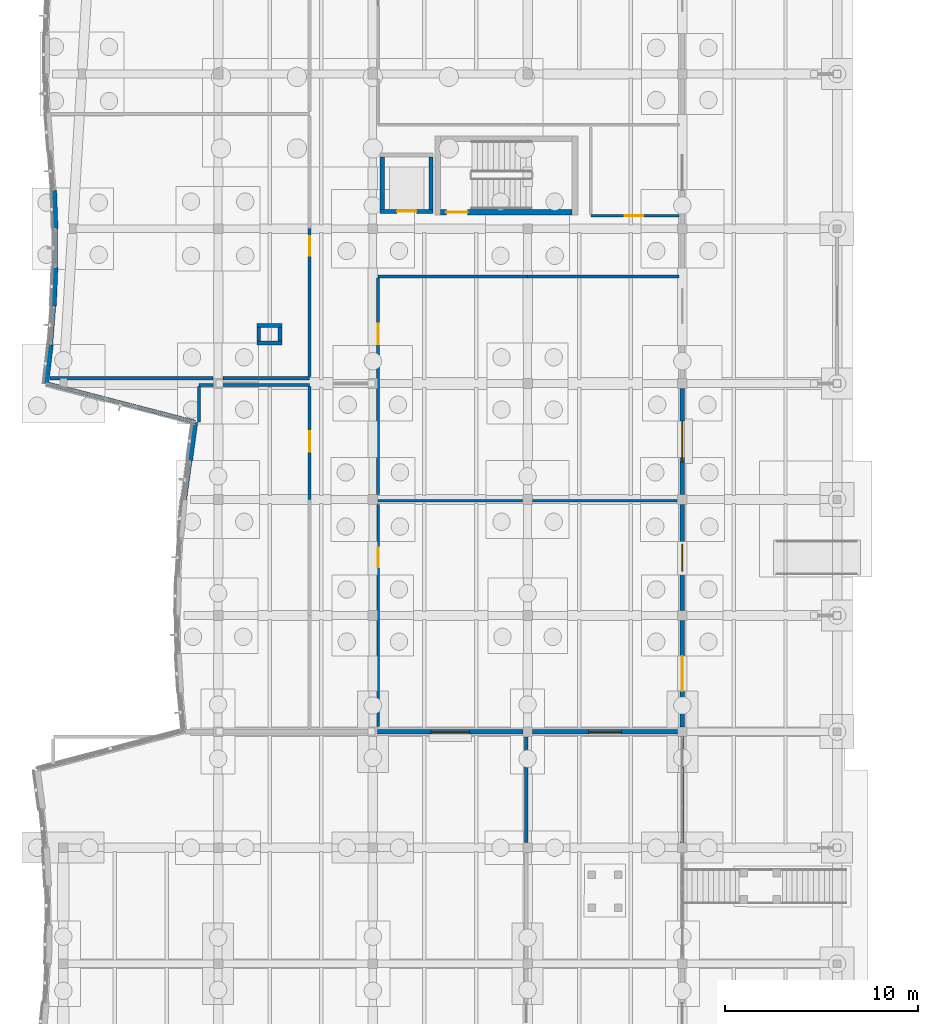
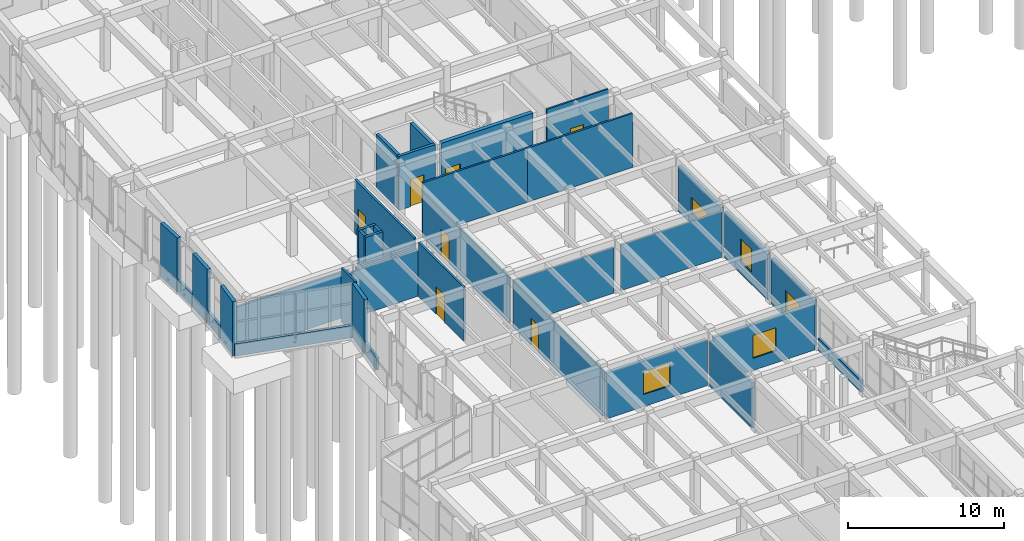
# One storey, part 62 of 99: 36 walls, 8 doors, 4 windows, 12 openings.
"""IFC4 building model written with IfcOpenShell, lengths in metres."""

from ifc_helpers import new_model, si_unit, direction, frame, frame_2d, origin, place, context, subcontext, project, spatial, rectangle, extrude, material, layer, layer_set, type_object, element, fill, save


model = new_model("IFC4")

# Units and contexts
model_context = context("Model", 3, precision=1e-05, world=origin(), true_north=direction((0.0, 1.0)))
body_context = subcontext(model_context, "Body", "Model", "MODEL_VIEW")
ifc_project = project(units=[si_unit("LENGTHUNIT", "METRE"), si_unit("AREAUNIT", "SQUARE_METRE"), si_unit("VOLUMEUNIT", "CUBIC_METRE"), si_unit("PLANEANGLEUNIT", "RADIAN"), si_unit("MASSUNIT", "GRAM", prefix="KILO")], contexts=[model_context])

# Site, building, storey
site_placement = place(None, origin())
site = spatial("IfcSite", under=ifc_project, at=site_placement, CompositionType="ELEMENT")
building_placement = place(site_placement, origin())
building = spatial("IfcBuilding", under=site, at=building_placement, Name="Tonlespit Floodbar School", CompositionType="ELEMENT")
storey_placement = place(building_placement, origin())
storey = spatial("IfcBuildingStorey", under=building, at=storey_placement, Name="L00", CompositionType="ELEMENT", Elevation=0.0)

# Wall, opening, door
ifc_material_1 = material(Name="Concrete C40/50", Category="concrete")
ifc_layer_1 = layer(ifc_material_1, 0.300048828125)
ifc_layer_set_1 = layer_set([ifc_layer_1], Name="Concrete C40/50")
wall_type_1 = type_object("IfcWallType", Name="CoreWall_RC_300", PredefinedType="SHEAR", material=ifc_layer_set_1)
wall_1_placement = place(storey_placement, frame((23.5, 64.85009765625, 0.0), z_axis=(0.0, 0.0, 1.0), x_axis=(1.0, 0.0, 0.0)))
wall_1 = element("IfcWall", 1, at=wall_1_placement, inside=storey, type_object=wall_type_1, Name="L00 core C3 shear wall LEFT", PredefinedType="SHEAR", context=body_context, shape_type="SweptSolid", body=[
    extrude(rectangle(XDim=6.800048828125, YDim=0.300048828125, at=frame_2d((3.39990234375, 0.0))), origin(), (0.0, 0.0, 1.0), 4.239990234375),
])
opening_1_placement = place(wall_1_placement, frame((0.300048828125, 0.0, 0.0)))
opening_1 = element("IfcOpeningElement", 2, at=opening_1_placement, cuts=wall_1, Name="Opening FD1-C3-L00", PredefinedType="OPENING", context=body_context, shape_type="SweptSolid", body=[
    extrude(rectangle(XDim=1.10009765625, YDim=2.14990234375, at=frame_2d((0.550048828125, 1.074951171875))), frame((0.0, 0.159912109375, 0.0), z_axis=(0.0, -1.0, 0.0), x_axis=(1.0, 0.0, 0.0)), (0.0, 0.0, 1.0), 0.320068359375),
])
ifc_material_2 = material(Name="Galvanised Steel", Category="steel")
door_type_1 = type_object("IfcDoorType", Name="FireDoor_Stair_1100x2150", OperationType="NOTDEFINED", PredefinedType="DOOR", material=ifc_material_2)
door_1_placement = place(opening_1_placement, origin())
door_1 = element("IfcDoor", 3, at=door_1_placement, inside=storey, type_object=door_type_1, Name="L00 stair ST-C3 fire door", OperationType="SINGLE_SWING_LEFT", OverallHeight=2.14990234375, OverallWidth=1.10009765625, PredefinedType="DOOR", context=body_context, shape_type="SweptSolid", body=[
    extrude(rectangle(XDim=1.10009765625, YDim=2.14990234375, at=frame_2d((0.550048828125, 1.074951171875))), frame((0.0, 0.02490234375, 0.0), z_axis=(0.0, -1.0, 0.0), x_axis=(1.0, 0.0, 0.0)), (0.0, 0.0, 1.0), 0.050048828125),
])
fill(opening_1, door_1)

# Wall, opening, window
ifc_material_3 = material(Name="Precast concrete C40/50", Category="concrete")
ifc_layer_2 = layer(ifc_material_3, 0.239990234375)
ifc_layer_set_2 = layer_set([ifc_layer_2], Name="Precast concrete C40/50")
wall_type_2 = type_object("IfcWallType", Name="ExtWall_Rainscreen_240", PredefinedType="SOLIDWALL", material=ifc_layer_set_2)
wall_2_placement = place(storey_placement, frame((36.0, 55.75, 0.0), z_axis=(0.0, 0.0, 1.0), x_axis=(0.0, -1.0, 0.0)))
wall_2 = element("IfcWall", 4, at=wall_2_placement, inside=storey, type_object=wall_type_2, Name="L00 external wall 0328", PredefinedType="SOLIDWALL", context=body_context, shape_type="SweptSolid", body=[
    extrude(rectangle(XDim=5.5, YDim=0.239990234375, at=frame_2d((2.75, 0.0))), origin(), (0.0, 0.0, 1.0), 3.590087890625),
])
opening_2_placement = place(wall_2_placement, frame((1.699951171875, 0.0, 0.949951171875)))
opening_2 = element("IfcOpeningElement", 5, at=opening_2_placement, cuts=wall_2, Name="Opening W-L00-024", PredefinedType="OPENING", context=body_context, shape_type="SweptSolid", body=[
    extrude(rectangle(XDim=2.10009765625, YDim=1.199951171875, at=frame_2d((1.050048828125, 0.60009765625))), frame((0.0, 0.1298828125, 0.0), z_axis=(0.0, -1.0, 0.0), x_axis=(1.0, 0.0, 0.0)), (0.0, 0.0, 1.0), 0.260009765625),
])
ifc_material_4 = material(Name="Tempered Double Glazing", Category="glass")
window_type_1 = type_object("IfcWindowType", Name="Win_Mod_2100x1200", PartitioningType="DOUBLE_PANEL_VERTICAL", PredefinedType="WINDOW", material=ifc_material_4)
window_1_placement = place(opening_2_placement, origin())
window_1 = element("IfcWindow", 6, at=window_1_placement, inside=storey, type_object=window_type_1, Name="L00 window W-L00-024", OverallHeight=1.199951171875, OverallWidth=2.10009765625, PartitioningType="DOUBLE_PANEL_VERTICAL", PredefinedType="WINDOW", context=body_context, shape_type="SweptSolid", body=[
    extrude(rectangle(XDim=2.10009765625, YDim=1.199951171875, at=frame_2d((1.050048828125, 0.60009765625))), frame((0.0, 0.030029296875, 0.0), z_axis=(0.0, -1.0, 0.0), x_axis=(1.0, 0.0, 0.0)), (0.0, 0.0, 1.0), 0.06005859375),
])
fill(opening_2, window_1)

wall_3_placement = place(storey_placement, frame((36.0, 49.75, 0.0), z_axis=(0.0, 0.0, 1.0), x_axis=(0.0, -1.0, 0.0)))
wall_3 = element("IfcWall", 7, at=wall_3_placement, inside=storey, type_object=wall_type_2, Name="L00 external wall 0329", PredefinedType="SOLIDWALL", context=body_context, shape_type="SweptSolid", body=[
    extrude(rectangle(XDim=5.5, YDim=0.239990234375, at=frame_2d((2.75, 0.0))), origin(), (0.0, 0.0, 1.0), 3.590087890625),
])
opening_3_placement = place(wall_3_placement, frame((2.050048828125, 0.0, 0.949951171875)))
opening_3 = element("IfcOpeningElement", 8, at=opening_3_placement, cuts=wall_3, Name="Opening W-L00-025", PredefinedType="OPENING", context=body_context, shape_type="SweptSolid", body=[
    extrude(rectangle(XDim=1.39990234375, YDim=1.800048828125, at=frame_2d((0.699951171875, 0.89990234375))), frame((0.0, 0.1298828125, 0.0), z_axis=(0.0, -1.0, 0.0), x_axis=(1.0, 0.0, 0.0)), (0.0, 0.0, 1.0), 0.260009765625),
])
window_type_2 = type_object("IfcWindowType", Name="Win_Mod_1400x1800", PartitioningType="SINGLE_PANEL", PredefinedType="WINDOW", material=ifc_material_4)
window_2_placement = place(opening_3_placement, origin())
window_2 = element("IfcWindow", 9, at=window_2_placement, inside=storey, type_object=window_type_2, Name="L00 window W-L00-025", OverallHeight=1.800048828125, OverallWidth=1.39990234375, PartitioningType="SINGLE_PANEL", PredefinedType="WINDOW", context=body_context, shape_type="SweptSolid", body=[
    extrude(rectangle(XDim=1.39990234375, YDim=1.800048828125, at=frame_2d((0.699951171875, 0.89990234375))), frame((0.0, 0.030029296875, 0.0), z_axis=(0.0, -1.0, 0.0), x_axis=(1.0, 0.0, 0.0)), (0.0, 0.0, 1.0), 0.06005859375),
])
fill(opening_3, window_2)

# Wall, opening, door
wall_4_placement = place(storey_placement, frame((36.0, 43.75, 0.0), z_axis=(0.0, 0.0, 1.0), x_axis=(0.0, -1.0, 0.0)))
wall_4 = element("IfcWall", 10, at=wall_4_placement, inside=storey, type_object=wall_type_2, Name="L00 external wall 0330", PredefinedType="SOLIDWALL", context=body_context, shape_type="SweptSolid", body=[
    extrude(rectangle(XDim=5.5, YDim=0.239990234375, at=frame_2d((2.75, 0.0))), origin(), (0.0, 0.0, 1.0), 3.590087890625),
])
opening_4_placement = place(wall_4_placement, frame((1.85009765625, 0.0, 0.0)))
opening_4 = element("IfcOpeningElement", 11, at=opening_4_placement, cuts=wall_4, Name="Opening D-EX-015", PredefinedType="OPENING", context=body_context, shape_type="SweptSolid", body=[
    extrude(rectangle(XDim=1.800048828125, YDim=2.199951171875, at=frame_2d((0.89990234375, 1.10009765625))), frame((0.0, 0.1298828125, 0.0), z_axis=(0.0, -1.0, 0.0), x_axis=(1.0, 0.0, 0.0)), (0.0, 0.0, 1.0), 0.260009765625),
])
ifc_material_5 = material(Name="Anodised Aluminium", Category="aluminium")
door_type_2 = type_object("IfcDoorType", Name="ExtDoor_Exit_1800x2200", OperationType="NOTDEFINED", PredefinedType="DOOR", material=ifc_material_5)
door_2_placement = place(opening_4_placement, origin())
door_2 = element("IfcDoor", 12, at=door_2_placement, inside=storey, type_object=door_type_2, Name="Final exit door D-EX-015", OperationType="SINGLE_SWING_LEFT", OverallHeight=2.199951171875, OverallWidth=1.800048828125, PredefinedType="DOOR", context=body_context, shape_type="SweptSolid", body=[
    extrude(rectangle(XDim=1.800048828125, YDim=2.199951171875, at=frame_2d((0.89990234375, 1.10009765625))), frame((0.0, 0.02490234375, 0.0), z_axis=(0.0, -1.0, 0.0), x_axis=(1.0, 0.0, 0.0)), (0.0, 0.0, 1.0), 0.050048828125),
])
fill(opening_4, door_2)

# Wall, opening, window
wall_5_placement = place(storey_placement, frame((35.75, 38.0, 0.0), z_axis=(0.0, 0.0, 1.0), x_axis=(-1.0, 0.0, 0.0)))
wall_5 = element("IfcWall", 13, at=wall_5_placement, inside=storey, type_object=wall_type_2, Name="L00 external wall 0331", PredefinedType="SOLIDWALL", context=body_context, shape_type="SweptSolid", body=[
    extrude(rectangle(XDim=7.5, YDim=0.239990234375, at=frame_2d((3.75, 0.0))), origin(), (0.0, 0.0, 1.0), 3.590087890625),
])
opening_5_placement = place(wall_5_placement, frame((2.89990234375, 0.0, 0.949951171875)))
opening_5 = element("IfcOpeningElement", 14, at=opening_5_placement, cuts=wall_5, Name="Opening W-L00-026", PredefinedType="OPENING", context=body_context, shape_type="SweptSolid", body=[
    extrude(rectangle(XDim=1.699951171875, YDim=1.800048828125, at=frame_2d((0.85009765625, 0.89990234375))), frame((0.0, 0.1298828125, 0.0), z_axis=(0.0, -1.0, 0.0), x_axis=(1.0, 0.0, 0.0)), (0.0, 0.0, 1.0), 0.260009765625),
])
window_type_3 = type_object("IfcWindowType", Name="Win_Mod_1700x1800", PartitioningType="DOUBLE_PANEL_VERTICAL", PredefinedType="WINDOW", material=ifc_material_4)
window_3_placement = place(opening_5_placement, origin())
window_3 = element("IfcWindow", 15, at=window_3_placement, inside=storey, type_object=window_type_3, Name="L00 window W-L00-026", OverallHeight=1.800048828125, OverallWidth=1.699951171875, PartitioningType="DOUBLE_PANEL_VERTICAL", PredefinedType="WINDOW", context=body_context, shape_type="SweptSolid", body=[
    extrude(rectangle(XDim=1.699951171875, YDim=1.800048828125, at=frame_2d((0.85009765625, 0.89990234375))), frame((0.0, 0.030029296875, 0.0), z_axis=(0.0, -1.0, 0.0), x_axis=(1.0, 0.0, 0.0)), (0.0, 0.0, 1.0), 0.06005859375),
])
fill(opening_5, window_3)

wall_6_placement = place(storey_placement, frame((27.75, 38.0, 0.0), z_axis=(0.0, 0.0, 1.0), x_axis=(-1.0, 0.0, 0.0)))
wall_6 = element("IfcWall", 16, at=wall_6_placement, inside=storey, type_object=wall_type_2, Name="L00 external wall 0332", PredefinedType="SOLIDWALL", context=body_context, shape_type="SweptSolid", body=[
    extrude(rectangle(XDim=7.5, YDim=0.239990234375, at=frame_2d((3.75, 0.0))), origin(), (0.0, 0.0, 1.0), 3.590087890625),
])
opening_6_placement = place(wall_6_placement, frame((2.75, 0.0, 0.949951171875)))
opening_6 = element("IfcOpeningElement", 17, at=opening_6_placement, cuts=wall_6, Name="Opening W-L00-027", PredefinedType="OPENING", context=body_context, shape_type="SweptSolid", body=[
    extrude(rectangle(XDim=2.0, YDim=1.800048828125, at=frame_2d((1.0, 0.89990234375))), frame((0.0, 0.1298828125, 0.0), z_axis=(0.0, -1.0, 0.0), x_axis=(1.0, 0.0, 0.0)), (0.0, 0.0, 1.0), 0.260009765625),
])
window_type_4 = type_object("IfcWindowType", Name="Win_Mod_2000x1800", PartitioningType="DOUBLE_PANEL_VERTICAL", PredefinedType="WINDOW", material=ifc_material_4)
window_4_placement = place(opening_6_placement, origin())
window_4 = element("IfcWindow", 18, at=window_4_placement, inside=storey, type_object=window_type_4, Name="L00 window W-L00-027", OverallHeight=1.800048828125, OverallWidth=2.0, PartitioningType="DOUBLE_PANEL_VERTICAL", PredefinedType="WINDOW", context=body_context, shape_type="SweptSolid", body=[
    extrude(rectangle(XDim=2.0, YDim=1.800048828125, at=frame_2d((1.0, 0.89990234375))), frame((0.0, 0.030029296875, 0.0), z_axis=(0.0, -1.0, 0.0), x_axis=(1.0, 0.0, 0.0)), (0.0, 0.0, 1.0), 0.06005859375),
])
fill(opening_6, window_4)

# Walls
ifc_layer_3 = layer(ifc_material_3, 0.260009765625)
ifc_layer_set_3 = layer_set([ifc_layer_3], Name="Precast concrete C40/50")
wall_type_3 = type_object("IfcWallType", Name="ExtWall_Rainscreen_260", PredefinedType="SOLIDWALL", material=ifc_layer_set_3)
wall_7_placement = place(storey_placement, frame((10.550048828125, 52.0, 0.0), z_axis=(0.0, 0.0, 1.0), x_axis=(0.134627389588, 0.990896294257, 0.0)))
element("IfcWall", 19, at=wall_7_placement, inside=storey, type_object=wall_type_3, Name="L00 external wall 0297", PredefinedType="SOLIDWALL", context=body_context, shape_type="SweptSolid", body=[
    extrude(rectangle(XDim=2.018310546875, YDim=0.260009765625, at=frame_2d((1.00927734375, 0.0))), origin(), (0.0, 0.0, 1.0), 4.239990234375),
])
wall_8_placement = place(storey_placement, frame((3.114990234375, 56.0, 0.0), z_axis=(0.0, 0.0, 1.0), x_axis=(0.116988959085, 0.99313321536, 0.0)))
element("IfcWall", 20, at=wall_8_placement, inside=storey, type_object=wall_type_3, Name="L00 external wall 0299", PredefinedType="SOLIDWALL", context=body_context, shape_type="SweptSolid", body=[
    extrude(rectangle(XDim=2.013916015625, YDim=0.260009765625, at=frame_2d((1.0068359375, 0.0))), origin(), (0.0, 0.0, 1.0), 4.239990234375),
])
wall_9_placement = place(storey_placement, frame((3.509033203125, 60.0, 0.0), z_axis=(0.0, 0.0, 1.0), x_axis=(0.040737639062, 0.99916987783, 0.0)))
element("IfcWall", 21, at=wall_9_placement, inside=storey, type_object=wall_type_3, Name="L00 external wall 0301", PredefinedType="SOLIDWALL", context=body_context, shape_type="SweptSolid", body=[
    extrude(rectangle(XDim=2.001708984375, YDim=0.260009765625, at=frame_2d((1.0009765625, 0.0))), origin(), (0.0, 0.0, 1.0), 4.239990234375),
])
wall_10_placement = place(storey_placement, frame((3.594970703125, 64.0, 0.0), z_axis=(0.0, 0.0, 1.0), x_axis=(-0.036596562065, 0.999330121454, 0.0)))
element("IfcWall", 22, at=wall_10_placement, inside=storey, type_object=wall_type_3, Name="L00 external wall 0303", PredefinedType="SOLIDWALL", context=body_context, shape_type="SweptSolid", body=[
    extrude(rectangle(XDim=2.001220703125, YDim=0.260009765625, at=frame_2d((1.00048828125, 0.0))), origin(), (0.0, 0.0, 1.0), 4.239990234375),
])
ifc_material_6 = material(Name="White Architectural Precast concrete C40/50", Category="concrete")
ifc_layer_4 = layer(ifc_material_6, 0.18505859375)
ifc_layer_set_4 = layer_set([ifc_layer_4], Name="White Architectural Precast concrete C40/50")
wall_type_4 = type_object("IfcWallType", Name="ExtWall_Spandrel_White_185", PredefinedType="SOLIDWALL", material=ifc_layer_set_4)
wall_11_placement = place(storey_placement, frame((36.0, 37.75, 0.0), z_axis=(0.0, 0.0, 1.0), x_axis=(0.0, -1.0, 0.0)))
element("IfcWall", 23, at=wall_11_placement, inside=storey, type_object=wall_type_4, Name="L00 spandrel wall 0707", PredefinedType="SOLIDWALL", context=body_context, shape_type="SweptSolid", body=[
    extrude(rectangle(XDim=5.5, YDim=0.18505859375, at=frame_2d((2.75, 0.0))), origin(), (0.0, 0.0, 1.0), 0.949951171875),
])
ifc_layer_5 = layer(ifc_material_6, 0.199951171875)
ifc_layer_set_5 = layer_set([ifc_layer_5], Name="White Architectural Precast concrete C40/50")
wall_type_5 = type_object("IfcWallType", Name="ExtWall_Spandrel_White_200", PredefinedType="SOLIDWALL", material=ifc_layer_set_5)
wall_12_placement = place(storey_placement, frame((10.2783203125, 50.0, 0.0), z_axis=(0.0, 0.0, 1.0), x_axis=(0.134627389588, 0.990896294257, 0.0)))
element("IfcWall", 24, at=wall_12_placement, inside=storey, type_object=wall_type_5, Name="L00 spandrel wall 0296", PredefinedType="SOLIDWALL", context=body_context, shape_type="SweptSolid", body=[
    extrude(rectangle(XDim=2.018310546875, YDim=0.199951171875, at=frame_2d((1.00927734375, 0.0))), origin(), (0.0, 0.0, 1.0), 0.949951171875),
])
wall_13_placement = place(storey_placement, frame((10.82177734375, 54.0, 0.0), z_axis=(0.0, 0.0, 1.0), x_axis=(-0.967937555254, 0.251190941573, 0.0)))
element("IfcWall", 25, at=wall_13_placement, inside=storey, type_object=wall_type_5, Name="L00 spandrel wall 0298", PredefinedType="SOLIDWALL", context=body_context, shape_type="SweptSolid", body=[
    extrude(rectangle(XDim=7.962158203125, YDim=0.199951171875, at=frame_2d((3.98095703125, 0.0))), origin(), (0.0, 0.0, 1.0), 0.949951171875),
])
wall_14_placement = place(storey_placement, frame((3.3505859375, 58.0, 0.0), z_axis=(0.0, 0.0, 1.0), x_axis=(0.078976178075, 0.996876503533, 0.0)))
element("IfcWall", 26, at=wall_14_placement, inside=storey, type_object=wall_type_5, Name="L00 spandrel wall 0300", PredefinedType="SOLIDWALL", context=body_context, shape_type="SweptSolid", body=[
    extrude(rectangle(XDim=2.00634765625, YDim=0.199951171875, at=frame_2d((1.003173828125, 0.0))), origin(), (0.0, 0.0, 1.0), 0.949951171875),
])
wall_15_placement = place(storey_placement, frame((3.590576171875, 62.0, 0.0), z_axis=(0.0, 0.0, 1.0), x_axis=(0.002197260321, 0.999997586021, 0.0)))
element("IfcWall", 27, at=wall_15_placement, inside=storey, type_object=wall_type_5, Name="L00 spandrel wall 0302", PredefinedType="SOLIDWALL", context=body_context, shape_type="SweptSolid", body=[
    extrude(rectangle(XDim=2.0, YDim=0.199951171875, at=frame_2d((1.0, 0.0))), origin(), (0.0, 0.0, 1.0), 0.949951171875),
])
ifc_material_7 = material(Name="Gypsum Plasterboard Partition")
ifc_layer_6 = layer(ifc_material_7, 0.159912109375)
ifc_layer_set_6 = layer_set([ifc_layer_6], Name="Gypsum Plasterboard Partition")
wall_type_6 = type_object("IfcWallType", Name="FireWall_Lab_160", PredefinedType="PARTITIONING", material=ifc_layer_set_6)
wall_16_placement = place(storey_placement, frame((3.31884765625, 56.27001953125, 0.0), z_axis=(0.0, 0.0, 1.0), x_axis=(1.0, 0.0, 0.0)))
element("IfcWall", 28, at=wall_16_placement, inside=storey, type_object=wall_type_6, Name="L00 partition wall 0149", PredefinedType="PARTITIONING", context=body_context, shape_type="SweptSolid", body=[
    extrude(rectangle(XDim=8.416259765625, YDim=0.159912109375, at=frame_2d((4.2080078125, 0.0))), origin(), (0.0, 0.0, 1.0), 3.590087890625),
])
wall_17_placement = place(storey_placement, frame((12.264892578125, 56.27001953125, 0.0), z_axis=(0.0, 0.0, 1.0), x_axis=(1.0, 0.0, 0.0)))
element("IfcWall", 29, at=wall_17_placement, inside=storey, type_object=wall_type_6, Name="L00 partition wall 0150", PredefinedType="PARTITIONING", context=body_context, shape_type="SweptSolid", body=[
    extrude(rectangle(XDim=4.465087890625, YDim=0.159912109375, at=frame_2d((2.232421875, 0.0))), origin(), (0.0, 0.0, 1.0), 3.590087890625),
])

# Wall, opening, door
wall_18_placement = place(storey_placement, frame((16.72998046875, 56.364990234375, 0.0), z_axis=(0.0, 0.0, 1.0), x_axis=(0.0, 1.0, 0.0)))
wall_18 = element("IfcWall", 30, at=wall_18_placement, inside=storey, type_object=wall_type_6, Name="L00 partition wall 0153", PredefinedType="PARTITIONING", context=body_context, shape_type="SweptSolid", body=[
    extrude(rectangle(XDim=7.635009765625, YDim=0.159912109375, at=frame_2d((3.8173828125, 0.0))), origin(), (0.0, 0.0, 1.0), 4.239990234375),
])
opening_7_placement = place(wall_18_placement, frame((6.235107421875, 0.0, 0.0)))
opening_7 = element("IfcOpeningElement", 31, at=opening_7_placement, cuts=wall_18, Name="Opening D-L00-047", PredefinedType="OPENING", context=body_context, shape_type="SweptSolid", body=[
    extrude(rectangle(XDim=1.0, YDim=2.14990234375, at=frame_2d((0.5, 1.074951171875))), frame((0.0, 0.08984375, 0.0), z_axis=(0.0, -1.0, 0.0), x_axis=(1.0, 0.0, 0.0)), (0.0, 0.0, 1.0), 0.179931640625),
])
ifc_material_8 = material(Name="Hardwood Timber", Category="wood")
door_type_3 = type_object("IfcDoorType", Name="FireDoor_Compartment_1000x2150", OperationType="NOTDEFINED", PredefinedType="DOOR", material=ifc_material_8)
door_3_placement = place(opening_7_placement, origin())
door_3 = element("IfcDoor", 32, at=door_3_placement, inside=storey, type_object=door_type_3, Name="L00 interior door D-L00-047", OperationType="SINGLE_SWING_RIGHT", OverallHeight=2.14990234375, OverallWidth=1.0, PredefinedType="DOOR", context=body_context, shape_type="SweptSolid", body=[
    extrude(rectangle(XDim=1.0, YDim=2.14990234375, at=frame_2d((0.5, 1.074951171875))), frame((0.0, 0.02490234375, 0.0), z_axis=(0.0, -1.0, 0.0), x_axis=(1.0, 0.0, 0.0)), (0.0, 0.0, 1.0), 0.050048828125),
])
fill(opening_7, door_3)

# Walls
ifc_layer_7 = layer(ifc_material_1, 0.199951171875)
ifc_layer_set_7 = layer_set([ifc_layer_7], Name="Concrete C40/50")
wall_type_7 = type_object("IfcWallType", Name="FireWall_Plant_200", PredefinedType="PARTITIONING", material=ifc_layer_set_7)
for number, where, z_axis, x_axis, name in (
    (33, (15.300048828125, 58.10009765625, 0.0), (0.0, 0.0, 1.0), (-1.0, 0.0, 0.0), "L00 service riser 03 wall S"),
    (34, (14.0, 59.0, 0.0), (0.0, 0.0, 1.0), (1.0, 0.0, 0.0), "L00 service riser 03 wall N"),
):
    element("IfcWall", number, at=place(storey_placement, frame(where, z_axis=z_axis, x_axis=x_axis)), inside=storey, type_object=wall_type_7, Name=name, PredefinedType="PARTITIONING", context=body_context, shape_type="SweptSolid", body=[
        extrude(rectangle(XDim=1.300048828125, YDim=0.199951171875, at=frame_2d((0.64990234375, 0.0))), origin(), (0.0, 0.0, 1.0), 4.239990234375),
    ])
for number, where, z_axis, x_axis, name in (
    (35, (14.10009765625, 58.199951171875, 0.0), (0.0, 0.0, 1.0), (0.0, 1.0, 0.0), "L00 service riser 03 wall W"),
    (36, (15.199951171875, 58.89990234375, 0.0), (0.0, 0.0, 1.0), (0.0, -1.0, 0.0), "L00 service riser 03 wall E"),
):
    element("IfcWall", number, at=place(storey_placement, frame(where, z_axis=z_axis, x_axis=x_axis)), inside=storey, type_object=wall_type_7, Name=name, PredefinedType="PARTITIONING", context=body_context, shape_type="SweptSolid", body=[
        extrude(rectangle(XDim=0.699951171875, YDim=0.199951171875, at=frame_2d((0.35009765625, 0.0))), origin(), (0.0, 0.0, 1.0), 4.239990234375),
    ])

# Wall, opening, door
ifc_layer_8 = layer(ifc_material_7, 0.1201171875)
ifc_layer_set_8 = layer_set([ifc_layer_8], Name="Gypsum Plasterboard Partition")
wall_type_8 = type_object("IfcWallType", Name="Partition_Gyp_120", PredefinedType="PARTITIONING", material=ifc_layer_set_8)
wall_19_placement = place(storey_placement, frame((31.27001953125, 64.669921875, 0.0), z_axis=(0.0, 0.0, 1.0), x_axis=(1.0, 0.0, 0.0)))
wall_19 = element("IfcWall", 37, at=wall_19_placement, inside=storey, type_object=wall_type_8, Name="L00 partition wall 0171", PredefinedType="PARTITIONING", context=body_context, shape_type="SweptSolid", body=[
    extrude(rectangle(XDim=4.56787109375, YDim=0.1201171875, at=frame_2d((2.283935546875, 0.0))), origin(), (0.0, 0.0, 1.0), 4.239990234375),
])
opening_8_placement = place(wall_19_placement, frame((1.739990234375, 0.0, 0.0)))
opening_8 = element("IfcOpeningElement", 38, at=opening_8_placement, cuts=wall_19, Name="Opening D-L00-052", PredefinedType="OPENING", context=body_context, shape_type="SweptSolid", body=[
    extrude(rectangle(XDim=0.97998046875, YDim=2.10009765625, at=frame_2d((0.489990234375, 1.050048828125))), frame((0.0, 0.070068359375, 0.0), z_axis=(0.0, -1.0, 0.0), x_axis=(1.0, 0.0, 0.0)), (0.0, 0.0, 1.0), 0.14013671875),
])
door_type_4 = type_object("IfcDoorType", Name="IntDoor_980x2100", OperationType="NOTDEFINED", PredefinedType="DOOR", material=ifc_material_8)
door_4_placement = place(opening_8_placement, origin())
door_4 = element("IfcDoor", 39, at=door_4_placement, inside=storey, type_object=door_type_4, Name="L00 interior door D-L00-052", OperationType="SINGLE_SWING_LEFT", OverallHeight=2.10009765625, OverallWidth=0.97998046875, PredefinedType="DOOR", context=body_context, shape_type="SweptSolid", body=[
    extrude(rectangle(XDim=0.97998046875, YDim=2.10009765625, at=frame_2d((0.489990234375, 1.050048828125))), frame((0.0, 0.02490234375, 0.0), z_axis=(0.0, -1.0, 0.0), x_axis=(1.0, 0.0, 0.0)), (0.0, 0.0, 1.0), 0.050048828125),
])
fill(opening_8, door_4)

# Walls
ifc_layer_9 = layer(ifc_material_7, 0.1298828125)
ifc_layer_set_9 = layer_set([ifc_layer_9], Name="Gypsum Plasterboard Partition")
wall_type_9 = type_object("IfcWallType", Name="Partition_Gyp_130", PredefinedType="PARTITIONING", material=ifc_layer_set_9)
for number, where, z_axis, x_axis, name in (
    (40, (20.27001953125, 49.929931640625, 0.0), (0.0, 0.0, 1.0), (1.0, 0.0, 0.0), "L00 partition wall 0173"),
    (41, (28.264892578125, 49.929931640625, 0.0), (0.0, 0.0, 1.0), (1.0, 0.0, 0.0), "L00 partition wall 0174"),
):
    element("IfcWall", number, at=place(storey_placement, frame(where, z_axis=z_axis, x_axis=x_axis)), inside=storey, type_object=wall_type_9, Name=name, PredefinedType="PARTITIONING", context=body_context, shape_type="SweptSolid", body=[
        extrude(rectangle(XDim=7.465087890625, YDim=0.1298828125, at=frame_2d((3.732421875, 0.0))), origin(), (0.0, 0.0, 1.0), 3.590087890625),
    ])

# Wall, opening, door
wall_20_placement = place(storey_placement, frame((20.27001953125, 38.264892578125, 0.0), z_axis=(0.0, 0.0, 1.0), x_axis=(0.0, 1.0, 0.0)))
wall_20 = element("IfcWall", 42, at=wall_20_placement, inside=storey, type_object=wall_type_9, Name="L00 partition wall 0175", PredefinedType="PARTITIONING", context=body_context, shape_type="SweptSolid", body=[
    extrude(rectangle(XDim=11.47021484375, YDim=0.1298828125, at=frame_2d((5.735107421875, 0.0))), origin(), (0.0, 0.0, 1.0), 3.590087890625),
])
opening_9_placement = place(wall_20_placement, frame((8.22509765625, 0.0, 0.0)))
opening_9 = element("IfcOpeningElement", 43, at=opening_9_placement, cuts=wall_20, Name="Opening D-L00-053", PredefinedType="OPENING", context=body_context, shape_type="SweptSolid", body=[
    extrude(rectangle(XDim=1.02001953125, YDim=2.10009765625, at=frame_2d((0.510009765625, 1.050048828125))), frame((0.0, 0.074951171875, 0.0), z_axis=(0.0, -1.0, 0.0), x_axis=(1.0, 0.0, 0.0)), (0.0, 0.0, 1.0), 0.14990234375),
])
door_type_5 = type_object("IfcDoorType", Name="IntDoor_1020x2100", OperationType="NOTDEFINED", PredefinedType="DOOR", material=ifc_material_8)
door_5_placement = place(opening_9_placement, origin())
door_5 = element("IfcDoor", 44, at=door_5_placement, inside=storey, type_object=door_type_5, Name="L00 interior door D-L00-053", OperationType="SINGLE_SWING_RIGHT", OverallHeight=2.10009765625, OverallWidth=1.02001953125, PredefinedType="DOOR", context=body_context, shape_type="SweptSolid", body=[
    extrude(rectangle(XDim=1.02001953125, YDim=2.10009765625, at=frame_2d((0.510009765625, 1.050048828125))), frame((0.0, 0.02490234375, 0.0), z_axis=(0.0, -1.0, 0.0), x_axis=(1.0, 0.0, 0.0)), (0.0, 0.0, 1.0), 0.050048828125),
])
fill(opening_9, door_5)

# Walls
ifc_layer_10 = layer(ifc_material_7, 0.139892578125)
ifc_layer_set_10 = layer_set([ifc_layer_10], Name="Gypsum Plasterboard Partition")
wall_type_10 = type_object("IfcWallType", Name="Partition_Gyp_140", PredefinedType="PARTITIONING", material=ifc_layer_set_10)
wall_21_placement = place(storey_placement, frame((20.27001953125, 61.530029296875, 0.0), z_axis=(0.0, 0.0, 1.0), x_axis=(1.0, 0.0, 0.0)))
element("IfcWall", 45, at=wall_21_placement, inside=storey, type_object=wall_type_10, Name="L00 partition wall 0176", PredefinedType="PARTITIONING", context=body_context, shape_type="SweptSolid", body=[
    extrude(rectangle(XDim=7.72998046875, YDim=0.139892578125, at=frame_2d((3.864990234375, 0.0))), origin(), (0.0, 0.0, 1.0), 4.239990234375),
])
wall_22_placement = place(storey_placement, frame((28.0, 61.530029296875, 0.0), z_axis=(0.0, 0.0, 1.0), x_axis=(1.0, 0.0, 0.0)))
element("IfcWall", 46, at=wall_22_placement, inside=storey, type_object=wall_type_10, Name="L00 partition wall 0177", PredefinedType="PARTITIONING", context=body_context, shape_type="SweptSolid", body=[
    extrude(rectangle(XDim=7.837890625, YDim=0.139892578125, at=frame_2d((3.9189453125, 0.0))), origin(), (0.0, 0.0, 1.0), 4.239990234375),
])

# Wall, opening, door
wall_23_placement = place(storey_placement, frame((20.27001953125, 50.264892578125, 0.0), z_axis=(0.0, 0.0, 1.0), x_axis=(0.0, 1.0, 0.0)))
wall_23 = element("IfcWall", 47, at=wall_23_placement, inside=storey, type_object=wall_type_10, Name="L00 partition wall 0178", PredefinedType="PARTITIONING", context=body_context, shape_type="SweptSolid", body=[
    extrude(rectangle(XDim=11.18017578125, YDim=0.139892578125, at=frame_2d((5.590087890625, 0.0))), origin(), (0.0, 0.0, 1.0), 3.590087890625),
])
opening_10_placement = place(wall_23_placement, frame((7.760009765625, 0.0, 0.0)))
opening_10 = element("IfcOpeningElement", 48, at=opening_10_placement, cuts=wall_23, Name="Opening D-L00-054", PredefinedType="OPENING", context=body_context, shape_type="SweptSolid", body=[
    extrude(rectangle(XDim=1.050048828125, YDim=2.10009765625, at=frame_2d((0.52490234375, 1.050048828125))), frame((0.0, 0.079833984375, 0.0), z_axis=(0.0, -1.0, 0.0), x_axis=(1.0, 0.0, 0.0)), (0.0, 0.0, 1.0), 0.159912109375),
])
door_type_6 = type_object("IfcDoorType", Name="IntDoor_1050x2100", OperationType="NOTDEFINED", PredefinedType="DOOR", material=ifc_material_8)
door_6_placement = place(opening_10_placement, origin())
door_6 = element("IfcDoor", 49, at=door_6_placement, inside=storey, type_object=door_type_6, Name="L00 interior door D-L00-054", OperationType="SINGLE_SWING_LEFT", OverallHeight=2.10009765625, OverallWidth=1.050048828125, PredefinedType="DOOR", context=body_context, shape_type="SweptSolid", body=[
    extrude(rectangle(XDim=1.050048828125, YDim=2.10009765625, at=frame_2d((0.52490234375, 1.050048828125))), frame((0.0, 0.02490234375, 0.0), z_axis=(0.0, -1.0, 0.0), x_axis=(1.0, 0.0, 0.0)), (0.0, 0.0, 1.0), 0.050048828125),
])
fill(opening_10, door_6)

# Walls
ifc_layer_11 = layer(ifc_material_7, 0.14990234375)
ifc_layer_set_11 = layer_set([ifc_layer_11], Name="Gypsum Plasterboard Partition")
wall_type_11 = type_object("IfcWallType", Name="Partition_Gyp_150", PredefinedType="PARTITIONING", material=ifc_layer_set_11)
wall_24_placement = place(storey_placement, frame((11.0048828125, 55.929931640625, 0.0), z_axis=(0.0, 0.0, 1.0), x_axis=(1.0, 0.0, 0.0)))
element("IfcWall", 50, at=wall_24_placement, inside=storey, type_object=wall_type_11, Name="L00 partition wall 0179", PredefinedType="PARTITIONING", context=body_context, shape_type="SweptSolid", body=[
    extrude(rectangle(XDim=5.72509765625, YDim=0.14990234375, at=frame_2d((2.862548828125, 0.0))), origin(), (0.0, 0.0, 1.0), 3.590087890625),
])
wall_25_placement = place(storey_placement, frame((11.0048828125, 54.02001953125, 0.0), z_axis=(0.0, 0.0, 1.0), x_axis=(0.0, 1.0, 0.0)))
element("IfcWall", 51, at=wall_25_placement, inside=storey, type_object=wall_type_11, Name="L00 partition wall 0180", PredefinedType="PARTITIONING", context=body_context, shape_type="SweptSolid", body=[
    extrude(rectangle(XDim=1.820068359375, YDim=0.14990234375, at=frame_2d((0.91015625, 0.0))), origin(), (0.0, 0.0, 1.0), 4.239990234375),
])

# Wall, opening, door
wall_26_placement = place(storey_placement, frame((16.72998046875, 50.0, 0.0), z_axis=(0.0, 0.0, 1.0), x_axis=(0.0, 1.0, 0.0)))
wall_26 = element("IfcWall", 52, at=wall_26_placement, inside=storey, type_object=wall_type_11, Name="L00 partition wall 0183", PredefinedType="PARTITIONING", context=body_context, shape_type="SweptSolid", body=[
    extrude(rectangle(XDim=5.840087890625, YDim=0.14990234375, at=frame_2d((2.919921875, 0.0))), origin(), (0.0, 0.0, 1.0), 4.239990234375),
])
opening_11_placement = place(wall_26_placement, frame((2.4599609375, 0.0, 0.0)))
opening_11 = element("IfcOpeningElement", 53, at=opening_11_placement, cuts=wall_26, Name="Opening D-L00-055", PredefinedType="OPENING", context=body_context, shape_type="SweptSolid", body=[
    extrude(rectangle(XDim=1.080078125, YDim=2.14990234375, at=frame_2d((0.5400390625, 1.074951171875))), frame((0.0, 0.0849609375, 0.0), z_axis=(0.0, -1.0, 0.0), x_axis=(1.0, 0.0, 0.0)), (0.0, 0.0, 1.0), 0.169921875),
])
door_type_7 = type_object("IfcDoorType", Name="IntDoor_1080x2150", OperationType="NOTDEFINED", PredefinedType="DOOR", material=ifc_material_8)
door_7_placement = place(opening_11_placement, origin())
door_7 = element("IfcDoor", 54, at=door_7_placement, inside=storey, type_object=door_type_7, Name="L00 interior door D-L00-055", OperationType="SINGLE_SWING_RIGHT", OverallHeight=2.14990234375, OverallWidth=1.080078125, PredefinedType="DOOR", context=body_context, shape_type="SweptSolid", body=[
    extrude(rectangle(XDim=1.080078125, YDim=2.14990234375, at=frame_2d((0.5400390625, 1.074951171875))), frame((0.0, 0.02490234375, 0.0), z_axis=(0.0, -1.0, 0.0), x_axis=(1.0, 0.0, 0.0)), (0.0, 0.0, 1.0), 0.050048828125),
])
fill(opening_11, door_7)

# Wall
ifc_layer_12 = layer(ifc_material_7, 0.18505859375)
ifc_layer_set_12 = layer_set([ifc_layer_12], Name="Gypsum Plasterboard Partition")
wall_type_12 = type_object("IfcWallType", Name="Partition_Gyp_185", PredefinedType="PARTITIONING", material=ifc_layer_set_12)
wall_27_placement = place(storey_placement, frame((27.929931640625, 32.264892578125, 0.0), z_axis=(0.0, 0.0, 1.0), x_axis=(0.0, 1.0, 0.0)))
element("IfcWall", 55, at=wall_27_placement, inside=storey, type_object=wall_type_12, Name="L00 partition wall 0442", PredefinedType="PARTITIONING", context=body_context, shape_type="SweptSolid", body=[
    extrude(rectangle(XDim=5.465087890625, YDim=0.18505859375, at=frame_2d((2.732421875, 0.0))), origin(), (0.0, 0.0, 1.0), 3.590087890625),
])

# Wall, opening, door
ifc_layer_13 = layer(ifc_material_1, 0.219970703125)
ifc_layer_set_13 = layer_set([ifc_layer_13], Name="Concrete C40/50")
wall_type_13 = type_object("IfcWallType", Name="ShaftWall_RC_220", PredefinedType="SHEAR", material=ifc_layer_set_13)
wall_28_placement = place(storey_placement, frame((23.1201171875, 64.889892578125, 0.0), z_axis=(0.0, 0.0, 1.0), x_axis=(-1.0, 0.0, 0.0)))
wall_28 = element("IfcWall", 56, at=wall_28_placement, inside=storey, type_object=wall_type_13, Name="L00 lift LG-1 shaft wall S", PredefinedType="SHEAR", context=body_context, shape_type="SweptSolid", body=[
    extrude(rectangle(XDim=2.740234375, YDim=0.219970703125, at=frame_2d((1.3701171875, 0.0))), origin(), (0.0, 0.0, 1.0), 4.239990234375),
])
opening_12_placement = place(wall_28_placement, frame((0.8701171875, 0.0, 0.0)))
opening_12 = element("IfcOpeningElement", 57, at=opening_12_placement, cuts=wall_28, Name="Opening LD-LG-1-L00", PredefinedType="OPENING", context=body_context, shape_type="SweptSolid", body=[
    extrude(rectangle(XDim=1.0, YDim=2.14990234375, at=frame_2d((0.5, 1.074951171875))), frame((0.0, 0.119873046875, 0.0), z_axis=(0.0, -1.0, 0.0), x_axis=(1.0, 0.0, 0.0)), (0.0, 0.0, 1.0), 0.239990234375),
])
door_type_8 = type_object("IfcDoorType", Name="LiftDoor_Pass_1000x2150", OperationType="DOUBLE_DOOR_SLIDING", PredefinedType="DOOR", material=ifc_material_5)
door_8_placement = place(opening_12_placement, origin())
door_8 = element("IfcDoor", 58, at=door_8_placement, inside=storey, type_object=door_type_8, Name="L00 lift LG-1 sliding landing door", OperationType="DOUBLE_DOOR_SLIDING", OverallHeight=2.14990234375, OverallWidth=1.0, PredefinedType="DOOR", context=body_context, shape_type="SweptSolid", body=[
    extrude(rectangle(XDim=1.0, YDim=2.14990234375, at=frame_2d((0.5, 1.074951171875))), frame((0.0, 0.02490234375, 0.0), z_axis=(0.0, -1.0, 0.0), x_axis=(1.0, 0.0, 0.0)), (0.0, 0.0, 1.0), 0.050048828125),
])
fill(opening_12, door_8)

# Walls
for number, where, z_axis, x_axis, name in (
    (59, (20.489990234375, 65.0, 0.0), (0.0, 0.0, 1.0), (0.0, 1.0, 0.0), "L00 lift LG-1 shaft wall W"),
    (60, (23.010009765625, 67.699951171875, 0.0), (0.0, 0.0, 1.0), (0.0, -1.0, 0.0), "L00 lift LG-1 shaft wall E"),
):
    element("IfcWall", number, at=place(storey_placement, frame(where, z_axis=z_axis, x_axis=x_axis)), inside=storey, type_object=wall_type_13, Name=name, PredefinedType="SHEAR", context=body_context, shape_type="SweptSolid", body=[
        extrude(rectangle(XDim=2.699951171875, YDim=0.219970703125, at=frame_2d((1.35009765625, 0.0))), origin(), (0.0, 0.0, 1.0), 4.239990234375),
    ])

save(model, "model.ifc")
